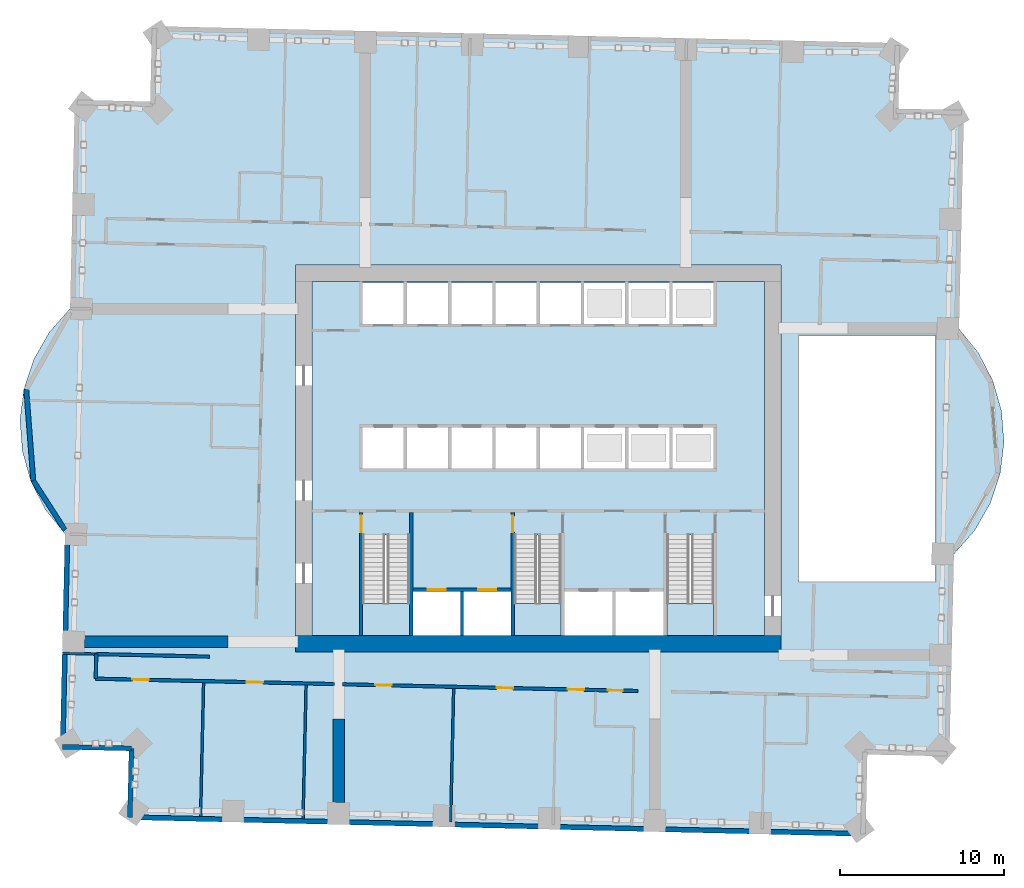
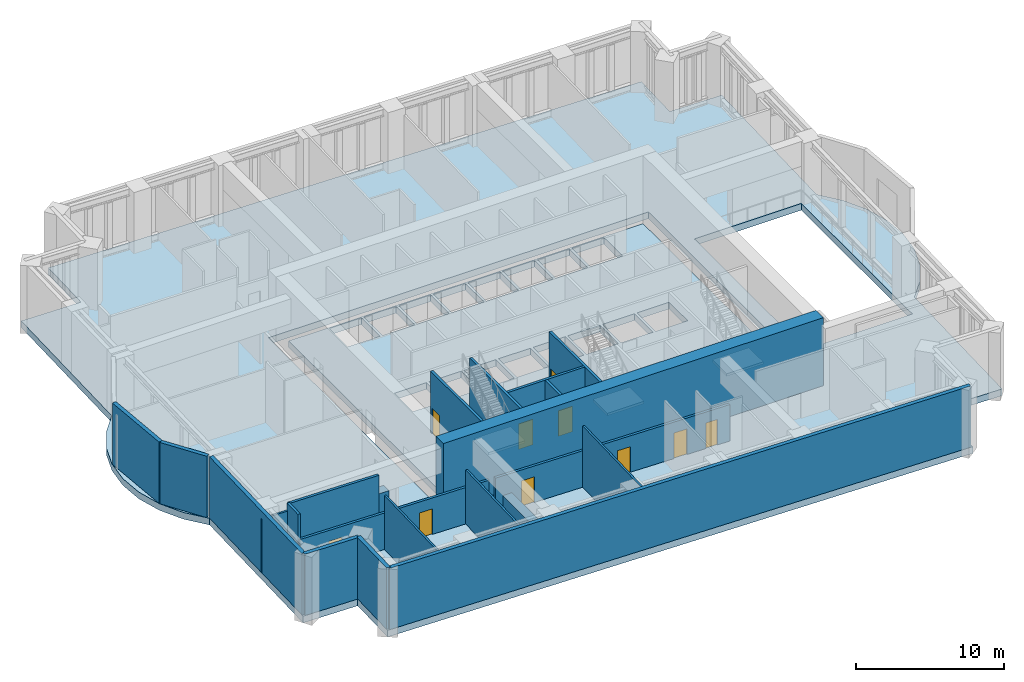
# One storey, part 5 of 13: 22 walls, 10 doors, 5 slabs, 10 openings, 3 elements without a shape of their own.
"""IFC4 building model written with IfcOpenShell, lengths in metres."""

from ifc_helpers import new_model, si_unit, direction, frame, frame_2d, origin, place, context, subcontext, project, spatial, polyline, rectangle, outline, extrude, material, layer, layer_set, type_object, element, fill, aggregate, save


model = new_model("IFC4")

# Units and contexts
model_context = context("Model", 3, precision=1e-05, world=origin(), true_north=direction((0.0, 1.0)))
body_context = subcontext(model_context, "Body", "Model", "MODEL_VIEW")
ifc_project = project(units=[si_unit("LENGTHUNIT", "METRE"), si_unit("AREAUNIT", "SQUARE_METRE"), si_unit("VOLUMEUNIT", "CUBIC_METRE"), si_unit("PLANEANGLEUNIT", "RADIAN"), si_unit("MASSUNIT", "GRAM", prefix="KILO")], contexts=[model_context])

# Site, building, storey
site_placement = place(None, origin())
site = spatial("IfcSite", under=ifc_project, at=site_placement, CompositionType="ELEMENT")
building_placement = place(site_placement, origin())
building = spatial("IfcBuilding", under=site, at=building_placement, Name="Mangrove Gate Tower", CompositionType="ELEMENT")
storey_placement = place(building_placement, frame((0.0, 0.0, 119.89990234375)))
storey = spatial("IfcBuildingStorey", under=building, at=storey_placement, Name="L30", CompositionType="ELEMENT", Elevation=119.89990234375)

# Slab
ifc_material_1 = material(Name="Concrete C40/50", Category="concrete")
ifc_layer_1 = layer(ifc_material_1, 0.550048828125)
ifc_layer_set_1 = layer_set([ifc_layer_1], Name="Core floor slab 550 C40/50")
slab_type_1 = type_object("IfcSlabType", Name="Core floor slab 550 C40/50", PredefinedType="FLOOR", material=ifc_layer_set_1)
slab_1_placement = place(storey_placement, frame((0.0, 0.0, -0.5498046875)))
element("IfcSlab", 1, at=slab_1_placement, inside=storey, type_object=slab_type_1, Name="SLAB-L30-CORE-1", PredefinedType="FLOOR", context=body_context, shape_type="SweptSolid", body=[
    extrude(outline(polyline([(-13.800048828125, -10.800048828125), (-13.800048828125, 10.800048828125), (13.800048828125, 10.800048828125), (13.800048828125, -10.800048828125), (10.699951171875, -10.800048828125), (10.699951171875, -4.653076171875), (7.85009765625, -4.653076171875), (7.85009765625, -10.800048828125), (7.64990234375, -10.800048828125), (7.64990234375, -8.10009765625), (4.72509765625, -8.10009765625), (4.72509765625, -10.800048828125), (4.52490234375, -10.800048828125), (4.52490234375, -8.10009765625), (1.60009765625, -8.10009765625), (1.60009765625, -10.800048828125), (1.39990234375, -10.800048828125), (1.39990234375, -4.653076171875), (-1.449951171875, -4.653076171875), (-1.449951171875, -10.800048828125), (-1.64990234375, -10.800048828125), (-1.64990234375, -8.10009765625), (-4.550048828125, -8.10009765625), (-4.550048828125, -10.800048828125), (-4.75, -10.800048828125), (-4.75, -8.10009765625), (-7.64990234375, -8.10009765625), (-7.64990234375, -10.800048828125), (-7.85009765625, -10.800048828125), (-7.85009765625, -4.653076171875), (-10.699951171875, -4.653076171875), (-10.699951171875, -10.800048828125), (-13.800048828125, -10.800048828125)]), holes=[polyline([(-10.699951171875, -0.60009765625), (-8.199951171875, -0.60009765625), (-8.199951171875, 1.89990234375), (-10.699951171875, 1.89990234375), (-10.699951171875, -0.60009765625)]), polyline([(-5.5, -0.60009765625), (-5.5, 1.89990234375), (-8.0, 1.89990234375), (-8.0, -0.60009765625), (-5.5, -0.60009765625)]), polyline([(-5.300048828125, -0.60009765625), (-2.800048828125, -0.60009765625), (-2.800048828125, 1.89990234375), (-5.300048828125, 1.89990234375), (-5.300048828125, -0.60009765625)]), polyline([(-2.60009765625, -0.60009765625), (-0.10009765625, -0.60009765625), (-0.10009765625, 1.89990234375), (-2.60009765625, 1.89990234375), (-2.60009765625, -0.60009765625)]), polyline([(-8.199951171875, 8.199951171875), (-8.199951171875, 10.699951171875), (-10.699951171875, 10.699951171875), (-10.699951171875, 8.199951171875), (-8.199951171875, 8.199951171875)]), polyline([(-8.0, 8.199951171875), (-5.5, 8.199951171875), (-5.5, 10.699951171875), (-8.0, 10.699951171875), (-8.0, 8.199951171875)]), polyline([(-5.300048828125, 8.199951171875), (-2.800048828125, 8.199951171875), (-2.800048828125, 10.699951171875), (-5.300048828125, 10.699951171875), (-5.300048828125, 8.199951171875)]), polyline([(-0.10009765625, 8.199951171875), (-0.10009765625, 10.699951171875), (-2.60009765625, 10.699951171875), (-2.60009765625, 8.199951171875), (-0.10009765625, 8.199951171875)]), polyline([(0.10009765625, -0.60009765625), (2.60009765625, -0.60009765625), (2.60009765625, 1.89990234375), (0.10009765625, 1.89990234375), (0.10009765625, -0.60009765625)]), polyline([(2.800048828125, -0.60009765625), (5.300048828125, -0.60009765625), (5.300048828125, 1.89990234375), (2.800048828125, 1.89990234375), (2.800048828125, -0.60009765625)]), polyline([(8.0, -0.60009765625), (8.0, 1.89990234375), (5.5, 1.89990234375), (5.5, -0.60009765625), (8.0, -0.60009765625)]), polyline([(8.199951171875, -0.60009765625), (10.699951171875, -0.60009765625), (10.699951171875, 1.89990234375), (8.199951171875, 1.89990234375), (8.199951171875, -0.60009765625)]), polyline([(0.10009765625, 8.199951171875), (2.60009765625, 8.199951171875), (2.60009765625, 10.699951171875), (0.10009765625, 10.699951171875), (0.10009765625, 8.199951171875)]), polyline([(5.300048828125, 8.199951171875), (5.300048828125, 10.699951171875), (2.800048828125, 10.699951171875), (2.800048828125, 8.199951171875), (5.300048828125, 8.199951171875)]), polyline([(5.5, 8.199951171875), (8.0, 8.199951171875), (8.0, 10.699951171875), (5.5, 10.699951171875), (5.5, 8.199951171875)]), polyline([(8.199951171875, 8.199951171875), (10.699951171875, 8.199951171875), (10.699951171875, 10.699951171875), (8.199951171875, 10.699951171875), (8.199951171875, 8.199951171875)])]), origin(), (0.0, 0.0, 1.0), 0.5498046875),
])

# Stair, slab
ifc_material_2 = material(Name="Concrete C40/50", Category="concrete")
stair_type = type_object("IfcStairType", Name="Core stair 1350", PredefinedType="HALF_TURN_STAIR", material=ifc_material_2)
stair_1_placement = place(storey_placement, origin())
stair_1 = element("IfcStair", 2, at=stair_1_placement, inside=storey, type_object=stair_type, Name="L30 Stair 1", PredefinedType="HALF_TURN_STAIR")
ifc_material_3 = material(Name="Concrete C40/50", Category="concrete")
ifc_layer_2 = layer(ifc_material_3, 0.199951171875)
ifc_layer_set_2 = layer_set([ifc_layer_2], Name="Core stair landing 200")
slab_type_2 = type_object("IfcSlabType", Name="Core stair landing 200", PredefinedType="LANDING", material=ifc_layer_set_2)
slab_2_placement = place(storey_placement, frame((0.0, 0.0, 2.60009765625)))
slab_2 = element("IfcSlab", 3, at=slab_2_placement, type_object=slab_type_2, Name="ST1 landing 1", PredefinedType="LANDING", context=body_context, shape_type="SweptSolid", body=[
    extrude(outline(polyline([(-10.699951171875, -8.85009765625), (-10.699951171875, -10.800048828125), (-7.85009765625, -10.800048828125), (-7.85009765625, -8.85009765625), (-10.699951171875, -8.85009765625)])), origin(), (0.0, 0.0, 1.0), 0.199951171875),
])
aggregate(stair_1, [slab_2])

stair_2_placement = place(storey_placement, origin())
stair_2 = element("IfcStair", 4, at=stair_2_placement, inside=storey, type_object=stair_type, Name="L30 Stair 2", PredefinedType="HALF_TURN_STAIR")
slab_3_placement = place(storey_placement, frame((0.0, 0.0, 2.60009765625)))
slab_3 = element("IfcSlab", 5, at=slab_3_placement, type_object=slab_type_2, Name="ST2 landing 1", PredefinedType="LANDING", context=body_context, shape_type="SweptSolid", body=[
    extrude(outline(polyline([(-1.449951171875, -8.85009765625), (-1.449951171875, -10.800048828125), (1.39990234375, -10.800048828125), (1.39990234375, -8.85009765625), (-1.449951171875, -8.85009765625)])), origin(), (0.0, 0.0, 1.0), 0.199951171875),
])
aggregate(stair_2, [slab_3])

stair_3_placement = place(storey_placement, origin())
stair_3 = element("IfcStair", 6, at=stair_3_placement, inside=storey, type_object=stair_type, Name="L30 Stair 3", PredefinedType="HALF_TURN_STAIR")
slab_4_placement = place(storey_placement, frame((0.0, 0.0, 2.60009765625)))
slab_4 = element("IfcSlab", 7, at=slab_4_placement, type_object=slab_type_2, Name="ST3 landing 1", PredefinedType="LANDING", context=body_context, shape_type="SweptSolid", body=[
    extrude(outline(polyline([(7.85009765625, -8.85009765625), (7.85009765625, -10.800048828125), (10.699951171875, -10.800048828125), (10.699951171875, -8.85009765625), (7.85009765625, -8.85009765625)])), origin(), (0.0, 0.0, 1.0), 0.199951171875),
])
aggregate(stair_3, [slab_4])

# Slab
ifc_material_4 = material(Name="Concrete C40/50", Category="concrete")
ifc_layer_3 = layer(ifc_material_4, 0.550048828125)
ifc_layer_set_3 = layer_set([ifc_layer_3], Name="Floor slab 550 C40/50")
slab_type_3 = type_object("IfcSlabType", Name="Floor slab 550 C40/50", PredefinedType="FLOOR", material=ifc_layer_set_3)
slab_5_placement = place(storey_placement, frame((0.0, 0.0, -0.5498046875)))
element("IfcSlab", 8, at=slab_5_placement, inside=storey, type_object=slab_type_3, Name="Floor slab L30", PredefinedType="FLOOR", context=body_context, shape_type="SweptSolid", body=[
    extrude(outline(polyline([(-25.047119140625, -22.024169921875), (19.94921875, -23.045166015625), (20.062744140625, -18.046630859375), (25.0615234375, -18.159912109375), (25.341064453125, -5.83837890625), (26.60400390625, -4.40185546875), (27.55712890625, -2.74365234375), (28.16259765625, -0.92919921875), (28.396240234375, 0.96923828125), (28.2490234375, 2.87646484375), (27.7265625, 4.71630859375), (26.849609375, 6.416259765625), (25.653076171875, 7.90869140625), (25.955322265625, 21.22998046875), (21.956298828125, 21.320556640625), (22.047119140625, 25.319580078125), (-23.549072265625, 26.354248046875), (-23.653564453125, 21.755615234375), (-28.25244140625, 21.85986328125), (-28.541015625, 9.138427734375), (-29.803955078125, 7.701904296875), (-30.757080078125, 6.043701171875), (-31.362548828125, 4.229248046875), (-31.59619140625, 2.330810546875), (-31.448974609375, 0.423583984375), (-30.926513671875, -1.41650390625), (-30.049560546875, -3.1162109375), (-28.85302734375, -4.608642578125), (-29.15087890625, -17.72998046875), (-24.951904296875, -17.8251953125), (-25.047119140625, -22.024169921875)]), holes=[polyline([(15.89990234375, 7.5), (24.22705078125, 7.5), (24.22705078125, -7.5), (15.89990234375, -7.5), (15.89990234375, 7.5)]), polyline([(-14.800048828125, -11.800048828125), (-14.800048828125, 11.800048828125), (14.800048828125, 11.800048828125), (14.800048828125, -11.800048828125), (-14.800048828125, -11.800048828125)])]), origin(), (0.0, 0.0, 1.0), 0.5498046875),
])

# Wall, openings, doors
ifc_material_5 = material(Name="Concrete C70/85", Category="concrete")
ifc_layer_4 = layer(ifc_material_5, 0.199951171875)
ifc_layer_set_4 = layer_set([ifc_layer_4], Name="Core shaft wall 200 C70/85")
wall_type_1 = type_object("IfcWallType", Name="Core shaft wall 200 C70/85", PredefinedType="SHEAR", material=ifc_layer_set_4)
wall_1_placement = place(storey_placement, frame((-7.64990234375, -8.0, 0.0), z_axis=(0.0, 0.0, 1.0), x_axis=(1.0, 0.0, 0.0)))
wall_1 = element("IfcWall", 9, at=wall_1_placement, inside=storey, type_object=wall_type_1, Name="WALL-L30-CORE-15", PredefinedType="SHEAR", context=body_context, shape_type="SweptSolid", body=[
    extrude(rectangle(XDim=6.0, YDim=0.199951171875, at=frame_2d((3.0, 0.0))), origin(), (0.0, 0.0, 1.0), 5.050048828125),
])
opening_1_placement = place(wall_1_placement, frame((0.89990234375, 0.0, 0.0)))
opening_1 = element("IfcOpeningElement", 10, at=opening_1_placement, cuts=wall_1, Name="Opening LD", PredefinedType="OPENING", context=body_context, shape_type="SweptSolid", body=[
    extrude(rectangle(XDim=1.10009765625, YDim=2.10009765625, at=frame_2d((0.550048828125, 1.050048828125))), frame((0.0, 0.10986328125, 0.0), z_axis=(0.0, -1.0, 0.0), x_axis=(1.0, 0.0, 0.0)), (0.0, 0.0, 1.0), 0.219970703125),
])
opening_2_placement = place(wall_1_placement, frame((4.0, 0.0, 0.0)))
opening_2 = element("IfcOpeningElement", 11, at=opening_2_placement, cuts=wall_1, Name="Opening LD", PredefinedType="OPENING", context=body_context, shape_type="SweptSolid", body=[
    extrude(rectangle(XDim=1.10009765625, YDim=2.10009765625, at=frame_2d((0.550048828125, 1.050048828125))), frame((0.0, 0.10986328125, 0.0), z_axis=(0.0, -1.0, 0.0), x_axis=(1.0, 0.0, 0.0)), (0.0, 0.0, 1.0), 0.219970703125),
])
ifc_material_6 = material(Name="Stainless steel 316", Category="steel")
door_type_1 = type_object("IfcDoorType", Name="Lift landing door 1100x2100", OperationType="SLIDING_TO_LEFT", PredefinedType="DOOR", material=ifc_material_6)
door_1_placement = place(opening_1_placement, origin())
door_1 = element("IfcDoor", 12, at=door_1_placement, inside=storey, type_object=door_type_1, Name="Landing door LD SVL1", OperationType="SLIDING_TO_LEFT", OverallHeight=2.10009765625, OverallWidth=1.10009765625, PredefinedType="DOOR", context=body_context, shape_type="SweptSolid", body=[
    extrude(rectangle(XDim=1.10009765625, YDim=2.10009765625, at=frame_2d((0.550048828125, 1.050048828125))), frame((0.0, 0.02490234375, 0.0), z_axis=(0.0, -1.0, 0.0), x_axis=(1.0, 0.0, 0.0)), (0.0, 0.0, 1.0), 0.050048828125),
])
fill(opening_1, door_1)
door_2_placement = place(opening_2_placement, origin())
door_2 = element("IfcDoor", 13, at=door_2_placement, inside=storey, type_object=door_type_1, Name="Landing door LD SVL2", OperationType="SLIDING_TO_LEFT", OverallHeight=2.10009765625, OverallWidth=1.10009765625, PredefinedType="DOOR", context=body_context, shape_type="SweptSolid", body=[
    extrude(rectangle(XDim=1.10009765625, YDim=2.10009765625, at=frame_2d((0.550048828125, 1.050048828125))), frame((0.0, 0.02490234375, 0.0), z_axis=(0.0, -1.0, 0.0), x_axis=(1.0, 0.0, 0.0)), (0.0, 0.0, 1.0), 0.050048828125),
])
fill(opening_2, door_2)

# Wall
wall_2_placement = place(storey_placement, frame((-4.64990234375, -10.800048828125, 0.0), z_axis=(0.0, 0.0, 1.0), x_axis=(0.0, 1.0, 0.0)))
element("IfcWall", 14, at=wall_2_placement, inside=storey, type_object=wall_type_1, Name="WALL-L30-CORE-16", PredefinedType="SHEAR", context=body_context, shape_type="SweptSolid", body=[
    extrude(rectangle(XDim=2.699951171875, YDim=0.199951171875, at=frame_2d((1.35009765625, 0.0))), origin(), (0.0, 0.0, 1.0), 5.050048828125),
])

# Wall, opening, door
ifc_material_7 = material(Name="Concrete C70/85", Category="concrete")
ifc_layer_5 = layer(ifc_material_7, 0.199951171875)
ifc_layer_set_5 = layer_set([ifc_layer_5], Name="Core stair wall 200 C70/85")
wall_type_2 = type_object("IfcWallType", Name="Core stair wall 200 C70/85", PredefinedType="SHEAR", material=ifc_layer_set_5)
wall_3_placement = place(storey_placement, frame((-10.800048828125, -10.800048828125, 0.0), z_axis=(0.0, 0.0, 1.0), x_axis=(0.0, 1.0, 0.0)))
wall_3 = element("IfcWall", 15, at=wall_3_placement, inside=storey, type_object=wall_type_2, Name="WALL-L30-CORE-9", PredefinedType="SHEAR", context=body_context, shape_type="SweptSolid", body=[
    extrude(rectangle(XDim=7.5, YDim=0.199951171875, at=frame_2d((3.75, 0.0))), origin(), (0.0, 0.0, 1.0), 5.050048828125),
])
opening_3_placement = place(wall_3_placement, frame((6.300048828125, 0.0, 0.0)))
opening_3 = element("IfcOpeningElement", 16, at=opening_3_placement, cuts=wall_3, Name="Opening STD10", PredefinedType="OPENING", context=body_context, shape_type="SweptSolid", body=[
    extrude(rectangle(XDim=1.0, YDim=2.10009765625, at=frame_2d((0.5, 1.050048828125))), frame((0.0, 0.10986328125, 0.0), z_axis=(0.0, -1.0, 0.0), x_axis=(1.0, 0.0, 0.0)), (0.0, 0.0, 1.0), 0.219970703125),
])
ifc_material_8 = material(Name="Fire-rated steel door set", Category="steel")
door_type_2 = type_object("IfcDoorType", Name="Stair door FD60 1000x2100", OperationType="SINGLE_SWING_RIGHT", PredefinedType="DOOR", material=ifc_material_8)
door_3_placement = place(opening_3_placement, origin())
door_3 = element("IfcDoor", 17, at=door_3_placement, inside=storey, type_object=door_type_2, Name="Stair door refuge lobby W to stair", OperationType="SINGLE_SWING_RIGHT", OverallHeight=2.10009765625, OverallWidth=1.0, PredefinedType="DOOR", context=body_context, shape_type="SweptSolid", body=[
    extrude(rectangle(XDim=1.0, YDim=2.10009765625, at=frame_2d((0.5, 1.050048828125))), frame((0.0, 0.02490234375, 0.0), z_axis=(0.0, -1.0, 0.0), x_axis=(1.0, 0.0, 0.0)), (0.0, 0.0, 1.0), 0.050048828125),
])
fill(opening_3, door_3)

# Wall
wall_4_placement = place(storey_placement, frame((-7.75, -10.800048828125, 0.0), z_axis=(0.0, 0.0, 1.0), x_axis=(0.0, 1.0, 0.0)))
element("IfcWall", 18, at=wall_4_placement, inside=storey, type_object=wall_type_2, Name="WALL-L30-CORE-10", PredefinedType="SHEAR", context=body_context, shape_type="SweptSolid", body=[
    extrude(rectangle(XDim=7.5, YDim=0.199951171875, at=frame_2d((3.75, 0.0))), origin(), (0.0, 0.0, 1.0), 5.050048828125),
])

# Wall, opening, door
wall_5_placement = place(storey_placement, frame((-1.550048828125, -10.800048828125, 0.0), z_axis=(0.0, 0.0, 1.0), x_axis=(0.0, 1.0, 0.0)))
wall_5 = element("IfcWall", 19, at=wall_5_placement, inside=storey, type_object=wall_type_2, Name="WALL-L30-CORE-11", PredefinedType="SHEAR", context=body_context, shape_type="SweptSolid", body=[
    extrude(rectangle(XDim=7.5, YDim=0.199951171875, at=frame_2d((3.75, 0.0))), origin(), (0.0, 0.0, 1.0), 5.050048828125),
])
opening_4_placement = place(wall_5_placement, frame((6.300048828125, 0.0, 0.0)))
opening_4 = element("IfcOpeningElement", 20, at=opening_4_placement, cuts=wall_5, Name="Opening STD10", PredefinedType="OPENING", context=body_context, shape_type="SweptSolid", body=[
    extrude(rectangle(XDim=1.0, YDim=2.10009765625, at=frame_2d((0.5, 1.050048828125))), frame((0.0, 0.10986328125, 0.0), z_axis=(0.0, -1.0, 0.0), x_axis=(1.0, 0.0, 0.0)), (0.0, 0.0, 1.0), 0.219970703125),
])
door_4_placement = place(opening_4_placement, origin())
door_4 = element("IfcDoor", 21, at=door_4_placement, inside=storey, type_object=door_type_2, Name="Stair door Stair 2 from service lobby", OperationType="SINGLE_SWING_RIGHT", OverallHeight=2.10009765625, OverallWidth=1.0, PredefinedType="DOOR", context=body_context, shape_type="SweptSolid", body=[
    extrude(rectangle(XDim=1.0, YDim=2.10009765625, at=frame_2d((0.5, 1.050048828125))), frame((0.0, 0.02490234375, 0.0), z_axis=(0.0, -1.0, 0.0), x_axis=(1.0, 0.0, 0.0)), (0.0, 0.0, 1.0), 0.050048828125),
])
fill(opening_4, door_4)

# Walls
ifc_material_9 = material(Name="Concrete C70/85", Category="concrete")
ifc_layer_6 = layer(ifc_material_9, 1.0)
ifc_layer_set_6 = layer_set([ifc_layer_6], Name="Core wall 1000 C70/85")
wall_type_3 = type_object("IfcWallType", Name="Core wall 1000 C70/85", PredefinedType="SHEAR", material=ifc_layer_set_6)
wall_6_placement = place(storey_placement, frame((-14.800048828125, -11.300048828125, 0.0), z_axis=(0.0, 0.0, 1.0), x_axis=(1.0, 0.0, 0.0)))
element("IfcWall", 22, at=wall_6_placement, inside=storey, type_object=wall_type_3, Name="WALL-L30-CORE-1", PredefinedType="SHEAR", context=body_context, shape_type="SweptSolid", body=[
    extrude(rectangle(XDim=29.60009765625, YDim=1.0, at=frame_2d((14.800048828125, 0.0))), origin(), (0.0, 0.0, 1.0), 5.60009765625),
])
ifc_material_10 = material(Name="Gypsum board on steel stud, EI 60", Category="steel")
ifc_layer_7 = layer(ifc_material_10, 0.199951171875)
ifc_layer_set_7 = layer_set([ifc_layer_7], Name="Corridor wall EI 60")
wall_type_4 = type_object("IfcWallType", Name="Corridor wall EI 60", PredefinedType="PARTITIONING", material=ifc_layer_set_7)
wall_7_placement = place(storey_placement, frame((-26.97900390625, -13.427978515625, 0.0), z_axis=(0.0, 0.0, 1.0), x_axis=(0.022617910375, 0.999744182344, 0.0)))
element("IfcWall", 23, at=wall_7_placement, inside=storey, type_object=wall_type_4, Name="WALL-L30-011", PredefinedType="PARTITIONING", context=body_context, shape_type="SweptSolid", body=[
    extrude(rectangle(XDim=1.50048828125, YDim=0.199951171875, at=frame_2d((0.750244140625, 0.0))), origin(), (0.0, 0.0, 1.0), 5.050048828125),
])

# Wall, openings, doors
wall_8_placement = place(storey_placement, frame((-26.97802734375, -13.427978515625, 0.0), z_axis=(0.0, 0.0, 1.0), x_axis=(0.999743028707, -0.022668845383, 0.0)))
wall_8 = element("IfcWall", 24, at=wall_8_placement, inside=storey, type_object=wall_type_4, Name="WALL-L30-012", PredefinedType="PARTITIONING", context=body_context, shape_type="SweptSolid", body=[
    extrude(rectangle(XDim=14.560791015625, YDim=0.199951171875, at=frame_2d((7.2802734375, 0.0))), origin(), (0.0, 0.0, 1.0), 3.0),
])
opening_5_placement = place(wall_8_placement, frame((2.238037109375, 0.0, 0.0)))
opening_5 = element("IfcOpeningElement", 25, at=opening_5_placement, cuts=wall_8, Name="Opening AD", PredefinedType="OPENING", context=body_context, shape_type="SweptSolid", body=[
    extrude(rectangle(XDim=1.0, YDim=2.10009765625, at=frame_2d((0.5, 1.050048828125))), frame((0.0, 0.10986328125, 0.0), z_axis=(0.0, -1.0, 0.0), x_axis=(1.0, 0.0, 0.0)), (0.0, 0.0, 1.0), 0.219970703125),
])
opening_6_placement = place(wall_8_placement, frame((9.199951171875, 0.0, 0.0)))
opening_6 = element("IfcOpeningElement", 26, at=opening_6_placement, cuts=wall_8, Name="Opening AD", PredefinedType="OPENING", context=body_context, shape_type="SweptSolid", body=[
    extrude(rectangle(XDim=1.0, YDim=2.10009765625, at=frame_2d((0.5, 1.050048828125))), frame((0.0, 0.10986328125, 0.0), z_axis=(0.0, -1.0, 0.0), x_axis=(1.0, 0.0, 0.0)), (0.0, 0.0, 1.0), 0.219970703125),
])
ifc_material_11 = material(Name="Timber door leaf", Category="wood")
door_type_3 = type_object("IfcDoorType", Name="Amenity door 1000", OperationType="SINGLE_SWING_LEFT", PredefinedType="DOOR", material=ifc_material_11)
door_5_placement = place(opening_5_placement, origin())
door_5 = element("IfcDoor", 27, at=door_5_placement, inside=storey, type_object=door_type_3, Name="DOOR-L30-STU-c1a", OperationType="SINGLE_SWING_LEFT", OverallHeight=2.10009765625, OverallWidth=1.0, PredefinedType="DOOR", context=body_context, shape_type="SweptSolid", body=[
    extrude(rectangle(XDim=1.0, YDim=2.10009765625, at=frame_2d((0.5, 1.050048828125))), frame((0.0, 0.02490234375, 0.0), z_axis=(0.0, -1.0, 0.0), x_axis=(1.0, 0.0, 0.0)), (0.0, 0.0, 1.0), 0.050048828125),
])
fill(opening_5, door_5)
door_6_placement = place(opening_6_placement, origin())
door_6 = element("IfcDoor", 28, at=door_6_placement, inside=storey, type_object=door_type_3, Name="DOOR-L30-KIT-c1a", OperationType="SINGLE_SWING_RIGHT", OverallHeight=2.10009765625, OverallWidth=1.0, PredefinedType="DOOR", context=body_context, shape_type="SweptSolid", body=[
    extrude(rectangle(XDim=1.0, YDim=2.10009765625, at=frame_2d((0.5, 1.050048828125))), frame((0.0, 0.02490234375, 0.0), z_axis=(0.0, -1.0, 0.0), x_axis=(1.0, 0.0, 0.0)), (0.0, 0.0, 1.0), 0.050048828125),
])
fill(opening_6, door_6)

wall_9_placement = place(storey_placement, frame((-11.928955078125, -13.77001953125, 0.0), z_axis=(0.0, 0.0, 1.0), x_axis=(0.999742659932, -0.0226851033, 0.0)))
wall_9 = element("IfcWall", 29, at=wall_9_placement, inside=storey, type_object=wall_type_4, Name="WALL-L30-013", PredefinedType="PARTITIONING", context=body_context, shape_type="SweptSolid", body=[
    extrude(rectangle(XDim=18.026611328125, YDim=0.199951171875, at=frame_2d((9.01318359375, 0.0))), origin(), (0.0, 0.0, 1.0), 3.0),
])
opening_7_placement = place(wall_9_placement, frame((2.0, 0.0, 0.0)))
opening_7 = element("IfcOpeningElement", 30, at=opening_7_placement, cuts=wall_9, Name="Opening AD", PredefinedType="OPENING", context=body_context, shape_type="SweptSolid", body=[
    extrude(rectangle(XDim=1.0, YDim=2.10009765625, at=frame_2d((0.5, 1.050048828125))), frame((0.0, 0.10986328125, 0.0), z_axis=(0.0, -1.0, 0.0), x_axis=(1.0, 0.0, 0.0)), (0.0, 0.0, 1.0), 0.219970703125),
])
opening_8_placement = place(wall_9_placement, frame((9.39794921875, 0.0, 0.0)))
opening_8 = element("IfcOpeningElement", 31, at=opening_8_placement, cuts=wall_9, Name="Opening AD", PredefinedType="OPENING", context=body_context, shape_type="SweptSolid", body=[
    extrude(rectangle(XDim=1.0, YDim=2.10009765625, at=frame_2d((0.5, 1.050048828125))), frame((0.0, 0.10986328125, 0.0), z_axis=(0.0, -1.0, 0.0), x_axis=(1.0, 0.0, 0.0)), (0.0, 0.0, 1.0), 0.219970703125),
])
opening_9_placement = place(wall_9_placement, frame((13.722900390625, 0.0, 0.0)))
opening_9 = element("IfcOpeningElement", 32, at=opening_9_placement, cuts=wall_9, Name="Opening AD", PredefinedType="OPENING", context=body_context, shape_type="SweptSolid", body=[
    extrude(rectangle(XDim=1.0, YDim=2.10009765625, at=frame_2d((0.5, 1.050048828125))), frame((0.0, 0.10986328125, 0.0), z_axis=(0.0, -1.0, 0.0), x_axis=(1.0, 0.0, 0.0)), (0.0, 0.0, 1.0), 0.219970703125),
])
opening_10_placement = place(wall_9_placement, frame((16.173095703125, 0.0, 0.0)))
opening_10 = element("IfcOpeningElement", 33, at=opening_10_placement, cuts=wall_9, Name="Opening SD", PredefinedType="OPENING", context=body_context, shape_type="SweptSolid", body=[
    extrude(rectangle(XDim=0.89990234375, YDim=2.10009765625, at=frame_2d((0.449951171875, 1.050048828125))), frame((0.0, 0.10986328125, 0.0), z_axis=(0.0, -1.0, 0.0), x_axis=(1.0, 0.0, 0.0)), (0.0, 0.0, 1.0), 0.219970703125),
])
door_7_placement = place(opening_7_placement, origin())
door_7 = element("IfcDoor", 34, at=door_7_placement, inside=storey, type_object=door_type_3, Name="DOOR-L30-LNG-c1a", OperationType="SINGLE_SWING_LEFT", OverallHeight=2.10009765625, OverallWidth=1.0, PredefinedType="DOOR", context=body_context, shape_type="SweptSolid", body=[
    extrude(rectangle(XDim=1.0, YDim=2.10009765625, at=frame_2d((0.5, 1.050048828125))), frame((0.0, 0.02490234375, 0.0), z_axis=(0.0, -1.0, 0.0), x_axis=(1.0, 0.0, 0.0)), (0.0, 0.0, 1.0), 0.050048828125),
])
fill(opening_7, door_7)
door_8_placement = place(opening_8_placement, origin())
door_8 = element("IfcDoor", 35, at=door_8_placement, inside=storey, type_object=door_type_3, Name="DOOR-L30-KIT-c1b", OperationType="SINGLE_SWING_RIGHT", OverallHeight=2.10009765625, OverallWidth=1.0, PredefinedType="DOOR", context=body_context, shape_type="SweptSolid", body=[
    extrude(rectangle(XDim=1.0, YDim=2.10009765625, at=frame_2d((0.5, 1.050048828125))), frame((0.0, 0.02490234375, 0.0), z_axis=(0.0, -1.0, 0.0), x_axis=(1.0, 0.0, 0.0)), (0.0, 0.0, 1.0), 0.050048828125),
])
fill(opening_8, door_8)
door_9_placement = place(opening_9_placement, origin())
door_9 = element("IfcDoor", 36, at=door_9_placement, inside=storey, type_object=door_type_3, Name="DOOR-L30-STU-c2a", OperationType="SINGLE_SWING_LEFT", OverallHeight=2.10009765625, OverallWidth=1.0, PredefinedType="DOOR", context=body_context, shape_type="SweptSolid", body=[
    extrude(rectangle(XDim=1.0, YDim=2.10009765625, at=frame_2d((0.5, 1.050048828125))), frame((0.0, 0.02490234375, 0.0), z_axis=(0.0, -1.0, 0.0), x_axis=(1.0, 0.0, 0.0)), (0.0, 0.0, 1.0), 0.050048828125),
])
fill(opening_9, door_9)
ifc_material_12 = material(Name="Timber door leaf", Category="wood")
door_type_4 = type_object("IfcDoorType", Name="Service room door 900", OperationType="SINGLE_SWING_LEFT", PredefinedType="DOOR", material=ifc_material_12)
door_10_placement = place(opening_10_placement, origin())
door_10 = element("IfcDoor", 37, at=door_10_placement, inside=storey, type_object=door_type_4, Name="DOOR-L30-LIN-c2a", OperationType="SINGLE_SWING_LEFT", OverallHeight=2.10009765625, OverallWidth=0.89990234375, PredefinedType="DOOR", context=body_context, shape_type="SweptSolid", body=[
    extrude(rectangle(XDim=0.89990234375, YDim=2.10009765625, at=frame_2d((0.449951171875, 1.050048828125))), frame((0.0, 0.02490234375, 0.0), z_axis=(0.0, -1.0, 0.0), x_axis=(1.0, 0.0, 0.0)), (0.0, 0.0, 1.0), 0.050048828125),
])
fill(opening_10, door_10)

# Walls
wall_10_placement = place(storey_placement, frame((-26.944091796875, -11.928955078125, 0.0), z_axis=(0.0, 0.0, 1.0), x_axis=(0.999744585311, -0.022600091627, 0.0)))
element("IfcWall", 38, at=wall_10_placement, inside=storey, type_object=wall_type_4, Name="WALL-L30-017", PredefinedType="PARTITIONING", context=body_context, shape_type="SweptSolid", body=[
    extrude(rectangle(XDim=6.90283203125, YDim=0.199951171875, at=frame_2d((3.451416015625, 0.0))), origin(), (0.0, 0.0, 1.0), 5.050048828125),
])
ifc_material_13 = material(Name="Limestone", Category="masonry")
ifc_layer_8 = layer(ifc_material_13, 0.0400390625, Name="Limestone cladding")
ifc_material_14 = material(Name="Ventilated air gap")
ifc_layer_9 = layer(ifc_material_14, 0.0400390625, Name="Ventilated cavity")
ifc_material_15 = material(Name="Mineral wool insulation")
ifc_layer_10 = layer(ifc_material_15, 0.06005859375, Name="Insulation")
ifc_material_16 = material(Name="Breather membrane")
ifc_layer_11 = layer(ifc_material_16, 0.001953125, Name="Breather membrane")
ifc_material_17 = material(Name="Concrete C20/25 blockwork", Category="masonry")
ifc_layer_12 = layer(ifc_material_17, 0.14990234375, Name="Blockwork backing wall")
ifc_material_18 = material(Name="Gypsum plaster")
ifc_layer_13 = layer(ifc_material_18, 0.008056640625, Name="Internal plaster")
ifc_layer_set_8 = layer_set([ifc_layer_8, ifc_layer_9, ifc_layer_10, ifc_layer_11, ifc_layer_12, ifc_layer_13], Name="External wall 300 limestone cladding")
wall_type_5 = type_object("IfcWallType", Name="External wall 300 limestone cladding", PredefinedType="SOLIDWALL", material=ifc_layer_set_8)
wall_11_placement = place(storey_placement, frame((-31.216064453125, 4.196044921875, 0.0), z_axis=(0.0, 0.0, 1.0), x_axis=(0.077178825362, -0.997017266107, 0.0)))
element("IfcWall", 39, at=wall_11_placement, inside=storey, type_object=wall_type_5, Name="WALL-L30-W9f2", PredefinedType="SOLIDWALL", context=body_context, shape_type="SweptSolid", body=[
    extrude(rectangle(XDim=5.57373046875, YDim=0.300048828125, at=frame_2d((2.786865234375, 0.0))), origin(), (0.0, 0.0, 1.0), 5.050048828125),
])
wall_12_placement = place(storey_placement, frame((-30.785888671875, -1.361083984375, 0.0), z_axis=(0.0, 0.0, 1.0), x_axis=(0.54058467792, -0.841289608873, 0.0)))
element("IfcWall", 40, at=wall_12_placement, inside=storey, type_object=wall_type_5, Name="WALL-L30-W9f3", PredefinedType="SOLIDWALL", context=body_context, shape_type="SweptSolid", body=[
    extrude(rectangle(XDim=3.568359375, YDim=0.300048828125, at=frame_2d((1.7841796875, 0.0))), origin(), (0.0, 0.0, 1.0), 5.050048828125),
])
wall_13_placement = place(storey_placement, frame((-28.701904296875, -4.556884765625, 0.0), z_axis=(0.0, 0.0, 1.0), x_axis=(-0.022653729471, -0.999743371341, 0.0)))
element("IfcWall", 41, at=wall_13_placement, inside=storey, type_object=wall_type_5, Name="WALL-L30-W10", PredefinedType="SOLIDWALL", context=body_context, shape_type="SweptSolid", body=[
    extrude(rectangle(XDim=13.029541015625, YDim=0.300048828125, at=frame_2d((6.5146484375, 0.0))), origin(), (0.0, 0.0, 1.0), 5.050048828125),
])
for number, where, z_axis, x_axis, name in (
    (42, (-28.9970703125, -17.5830078125, 0.0), (0.0, 0.0, 1.0), (0.999739037152, -0.022844202663, 0.0), "WALL-L30-S11"),
    (43, (-24.798095703125, -17.678955078125, 0.0), (0.0, 0.0, 1.0), (-0.022844202663, -0.999739037152, 0.0), "WALL-L30-W12"),
):
    element("IfcWall", number, at=place(storey_placement, frame(where, z_axis=z_axis, x_axis=x_axis)), inside=storey, type_object=wall_type_5, Name=name, PredefinedType="SOLIDWALL", context=body_context, shape_type="SweptSolid", body=[
        extrude(rectangle(XDim=4.199951171875, YDim=0.300048828125, at=frame_2d((2.10009765625, 0.0))), origin(), (0.0, 0.0, 1.0), 5.050048828125),
    ])
wall_14_placement = place(storey_placement, frame((-24.89404296875, -21.8779296875, 0.0), z_axis=(0.0, 0.0, 1.0), x_axis=(0.999742689045, -0.022683820265, 0.0)))
element("IfcWall", 44, at=wall_14_placement, inside=storey, type_object=wall_type_5, Name="WALL-L30-S13", PredefinedType="SOLIDWALL", context=body_context, shape_type="SweptSolid", body=[
    extrude(rectangle(XDim=44.70849609375, YDim=0.300048828125, at=frame_2d((22.354248046875, 0.0))), origin(), (0.0, 0.0, 1.0), 5.050048828125),
])
ifc_material_19 = material(Name="Concrete C70/85", Category="concrete")
ifc_layer_14 = layer(ifc_material_19, 0.699951171875)
ifc_layer_set_9 = layer_set([ifc_layer_14], Name="Outrigger wall 700 C70/85")
wall_type_6 = type_object("IfcWallType", Name="Outrigger wall 700 C70/85", PredefinedType="SHEAR", material=ifc_layer_set_9)
wall_15_placement = place(storey_placement, frame((-18.89990234375, -11.184326171875, 0.0), z_axis=(0.0, 0.0, 1.0), x_axis=(-1.0, 0.0, 0.0)))
element("IfcWall", 45, at=wall_15_placement, inside=storey, type_object=wall_type_6, Name="Outrigger wall L30 OR6 pier", PredefinedType="SHEAR", context=body_context, shape_type="SweptSolid", body=[
    extrude(rectangle(XDim=8.752197265625, YDim=0.699951171875, at=frame_2d((4.3759765625, 0.0))), origin(), (0.0, 0.0, 1.0), 3.0),
])
wall_16_placement = place(storey_placement, frame((-12.17578125, -15.89990234375, 0.0), z_axis=(0.0, 0.0, 1.0), x_axis=(0.0, -1.0, 0.0)))
element("IfcWall", 46, at=wall_16_placement, inside=storey, type_object=wall_type_6, Name="Outrigger wall L30 OR8 pier", PredefinedType="SHEAR", context=body_context, shape_type="SweptSolid", body=[
    extrude(rectangle(XDim=5.066162109375, YDim=0.699951171875, at=frame_2d((2.533203125, 0.0))), origin(), (0.0, 0.0, 1.0), 3.0),
])
ifc_material_20 = material(Name="Gypsum board on steel stud, EI 60", Category="steel")
ifc_layer_15 = layer(ifc_material_20, 0.14990234375)
ifc_layer_set_10 = layer_set([ifc_layer_15], Name="Party wall 150 EI 60")
wall_type_7 = type_object("IfcWallType", Name="Party wall 150 EI 60", PredefinedType="PARTITIONING", material=ifc_layer_set_10)
wall_17_placement = place(storey_placement, frame((-20.5869140625, -21.825927734375, 0.0), z_axis=(0.0, 0.0, 1.0), x_axis=(0.022554031278, 0.999745625483, 0.0)))
element("IfcWall", 47, at=wall_17_placement, inside=storey, type_object=wall_type_7, Name="WALL-L30-001", PredefinedType="PARTITIONING", context=body_context, shape_type="SweptSolid", body=[
    extrude(rectangle(XDim=8.15087890625, YDim=0.14990234375, at=frame_2d((4.075439453125, 0.0))), origin(), (0.0, 0.0, 1.0), 4.4501953125),
])
wall_18_placement = place(storey_placement, frame((-14.339111328125, -21.967041015625, 0.0), z_axis=(0.0, 0.0, 1.0), x_axis=(0.022706435224, 0.999742175663, 0.0)))
element("IfcWall", 48, at=wall_18_placement, inside=storey, type_object=wall_type_7, Name="WALL-L30-002", PredefinedType="PARTITIONING", context=body_context, shape_type="SweptSolid", body=[
    extrude(rectangle(XDim=8.150146484375, YDim=0.14990234375, at=frame_2d((4.0751953125, 0.0))), origin(), (0.0, 0.0, 1.0), 4.4501953125),
])
wall_19_placement = place(storey_placement, frame((-5.341064453125, -22.172119140625, 0.0), z_axis=(0.0, 0.0, 1.0), x_axis=(0.022583291997, 0.99974496494, 0.0)))
element("IfcWall", 49, at=wall_19_placement, inside=storey, type_object=wall_type_7, Name="WALL-L30-003", PredefinedType="PARTITIONING", context=body_context, shape_type="SweptSolid", body=[
    extrude(rectangle(XDim=8.1513671875, YDim=0.14990234375, at=frame_2d((4.07568359375, 0.0))), origin(), (0.0, 0.0, 1.0), 5.050048828125),
])
wall_20_placement = place(storey_placement, frame((-29.01806640625, -11.881103515625, 0.0), z_axis=(0.0, 0.0, 1.0), x_axis=(0.999734999765, -0.02302021381, 0.0)))
element("IfcWall", 50, at=wall_20_placement, inside=storey, type_object=wall_type_7, Name="WALL-L30-016", PredefinedType="PARTITIONING", context=body_context, shape_type="SweptSolid", body=[
    extrude(rectangle(XDim=2.07861328125, YDim=0.14990234375, at=frame_2d((1.039306640625, 0.0))), origin(), (0.0, 0.0, 1.0), 4.4501953125),
])

save(model, "model.ifc")
